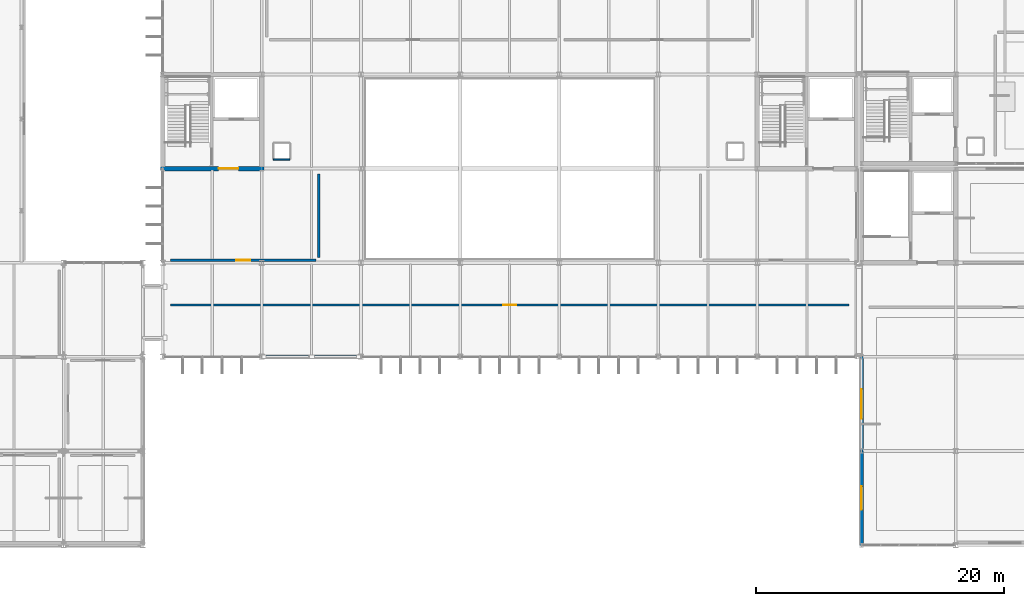
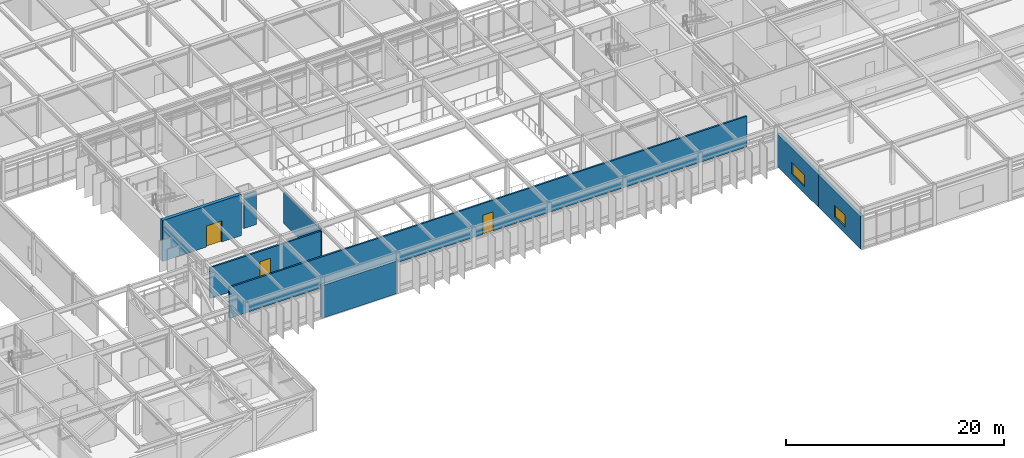
# One storey, part 83 of 104: 8 walls, 3 doors, 2 windows, 5 openings.
"""IFC4 building model written with IfcOpenShell, lengths in metres."""

from ifc_helpers import new_model, si_unit, direction, frame, frame_2d, origin, place, context, subcontext, project, spatial, rectangle, extrude, material, layer, layer_set, type_object, element, fill, save


model = new_model("IFC4")

# Units and contexts
model_context = context("Model", 3, precision=1e-05, world=origin(), true_north=direction((0.0, 1.0)))
body_context = subcontext(model_context, "Body", "Model", "MODEL_VIEW")
ifc_project = project(units=[si_unit("LENGTHUNIT", "METRE"), si_unit("AREAUNIT", "SQUARE_METRE"), si_unit("VOLUMEUNIT", "CUBIC_METRE"), si_unit("PLANEANGLEUNIT", "RADIAN"), si_unit("MASSUNIT", "GRAM", prefix="KILO")], contexts=[model_context])

# Site, building, storey
site_placement = place(None, origin())
site = spatial("IfcSite", under=ifc_project, at=site_placement, CompositionType="ELEMENT")
building_placement = place(site_placement, origin())
building = spatial("IfcBuilding", under=site, at=building_placement, Name="Zulena Civic Courthouse", CompositionType="ELEMENT")
storey_placement = place(building_placement, frame((0.0, 0.0, 15.60009765625)))
storey = spatial("IfcBuildingStorey", under=building, at=storey_placement, Name="L03", CompositionType="ELEMENT", Elevation=15.60009765625)

# Wall, opening, door
ifc_material_1 = material(Name="Concrete C40/50", Category="concrete")
ifc_layer_1 = layer(ifc_material_1, 0.35009765625)
ifc_layer_set_1 = layer_set([ifc_layer_1], Name="Concrete C40/50")
wall_type_1 = type_object("IfcWallType", Name="CoreShearWall_RC350", PredefinedType="SHEAR", material=ifc_layer_set_1)
wall_1_placement = place(storey_placement, frame((67.824951171875, 30.39990234375, 0.0), z_axis=(0.0, 0.0, 1.0), x_axis=(1.0, 0.0, 0.0)))
wall_1 = element("IfcWall", 1, at=wall_1_placement, inside=storey, type_object=wall_type_1, Name="cwall:K4A:L03:S", PredefinedType="SHEAR", context=body_context, shape_type="SweptSolid", body=[
    extrude(rectangle(XDim=8.35009765625, YDim=0.35009765625, at=frame_2d((4.175048828125, 0.0))), origin(), (0.0, 0.0, 1.0), 4.58984375),
])
opening_1_placement = place(wall_1_placement, frame((4.68505859375, 0.0, 0.0)))
opening_1 = element("IfcOpeningElement", 2, at=opening_1_placement, cuts=wall_1, Name="Opening ID04", PredefinedType="OPENING", context=body_context, shape_type="SweptSolid", body=[
    extrude(rectangle(XDim=1.60009765625, YDim=2.35009765625, at=frame_2d((0.800048828125, 1.175048828125))), frame((0.0, 0.18505859375, 0.0), z_axis=(0.0, -1.0, 0.0), x_axis=(1.0, 0.0, 0.0)), (0.0, 0.0, 1.0), 0.3701171875),
])
ifc_material_2 = material(Name="Solid-core acoustic hardwood timber", Category="wood")
door_type_1 = type_object("IfcDoorType", Name="IntDoor_CourtPublic_1600x2350", OperationType="DOUBLE_DOOR_SINGLE_SWING", PredefinedType="DOOR", material=ifc_material_2)
door_1_placement = place(opening_1_placement, origin())
door_1 = element("IfcDoor", 3, at=door_1_placement, inside=storey, type_object=door_type_1, Name="door:corelob:K4A:L03", OperationType="DOUBLE_DOOR_SINGLE_SWING", OverallHeight=2.35009765625, OverallWidth=1.60009765625, PredefinedType="DOOR", context=body_context, shape_type="SweptSolid", body=[
    extrude(rectangle(XDim=1.60009765625, YDim=2.35009765625, at=frame_2d((0.800048828125, 1.175048828125))), frame((0.0, 0.02490234375, 0.0), z_axis=(0.0, -1.0, 0.0), x_axis=(1.0, 0.0, 0.0)), (0.0, 0.0, 1.0), 0.050048828125),
])
fill(opening_1, door_1)

# Wall, opening, window
ifc_material_3 = material(Name="Terracotta-rose architectural precast concrete C40/50", Category="masonry")
ifc_layer_2 = layer(ifc_material_3, 0.320068359375)
ifc_layer_set_2 = layer_set([ifc_layer_2], Name="Terracotta-rose architectural precast concrete C40/50")
wall_type_2 = type_object("IfcWallType", Name="ExtWall_TerraPrecast_320", PredefinedType="STANDARD", material=ifc_layer_set_2)
wall_2_placement = place(storey_placement, frame((124.39990234375, -0.02001953125, 0.0), z_axis=(0.0, 0.0, 1.0), x_axis=(0.0, 1.0, 0.0)))
wall_2 = element("IfcWall", 4, at=wall_2_placement, inside=storey, type_object=wall_type_2, Name="ewall:V1:L03:0:0", PredefinedType="STANDARD", context=body_context, shape_type="SweptSolid", body=[
    extrude(rectangle(XDim=7.64013671875, YDim=0.320068359375, at=frame_2d((3.820068359375, 0.0))), origin(), (0.0, 0.0, 1.0), 3.659912109375),
])
opening_2_placement = place(wall_2_placement, frame((2.8701171875, 0.0, 0.75)))
opening_2 = element("IfcOpeningElement", 5, at=opening_2_placement, cuts=wall_2, Name="Opening WN31", PredefinedType="OPENING", context=body_context, shape_type="SweptSolid", body=[
    extrude(rectangle(XDim=1.89990234375, YDim=1.300048828125, at=frame_2d((0.949951171875, 0.64990234375))), frame((0.0, 0.169921875, 0.0), z_axis=(0.0, -1.0, 0.0), x_axis=(1.0, 0.0, 0.0)), (0.0, 0.0, 1.0), 0.340087890625),
])
ifc_material_4 = material(Name="Double-silver low-E laminated solar-control glass", Category="glass")
window_type_1 = type_object("IfcWindowType", Name="Win_1900x1300", PartitioningType="DOUBLE_PANEL_VERTICAL", PredefinedType="WINDOW", material=ifc_material_4)
window_1_placement = place(opening_2_placement, origin())
window_1 = element("IfcWindow", 6, at=window_1_placement, inside=storey, type_object=window_type_1, Name="win:V1:L03:0:0", OverallHeight=1.300048828125, OverallWidth=1.89990234375, PartitioningType="SINGLE_PANEL", PredefinedType="WINDOW", context=body_context, shape_type="SweptSolid", body=[
    extrude(rectangle(XDim=1.89990234375, YDim=1.300048828125, at=frame_2d((0.949951171875, 0.64990234375))), frame((0.0, 0.030029296875, 0.0), z_axis=(0.0, -1.0, 0.0), x_axis=(1.0, 0.0, 0.0)), (0.0, 0.0, 1.0), 0.06005859375),
])
fill(opening_2, window_1)

wall_3_placement = place(storey_placement, frame((124.39990234375, 7.580078125, 0.0), z_axis=(0.0, 0.0, 1.0), x_axis=(0.0, 1.0, 0.0)))
wall_3 = element("IfcWall", 7, at=wall_3_placement, inside=storey, type_object=wall_type_2, Name="ewall:V1:L03:0:1", PredefinedType="STANDARD", context=body_context, shape_type="SweptSolid", body=[
    extrude(rectangle(XDim=7.639892578125, YDim=0.320068359375, at=frame_2d((3.81982421875, 0.0))), origin(), (0.0, 0.0, 1.0), 3.659912109375),
])
opening_3_placement = place(wall_3_placement, frame((2.6201171875, 0.0, 0.75)))
opening_3 = element("IfcOpeningElement", 8, at=opening_3_placement, cuts=wall_3, Name="Opening WN32", PredefinedType="OPENING", context=body_context, shape_type="SweptSolid", body=[
    extrude(rectangle(XDim=2.39990234375, YDim=1.300048828125, at=frame_2d((1.199951171875, 0.64990234375))), frame((0.0, 0.169921875, 0.0), z_axis=(0.0, -1.0, 0.0), x_axis=(1.0, 0.0, 0.0)), (0.0, 0.0, 1.0), 0.340087890625),
])
window_type_2 = type_object("IfcWindowType", Name="Win_2400x1300", PartitioningType="DOUBLE_PANEL_VERTICAL", PredefinedType="WINDOW", material=ifc_material_4)
window_2_placement = place(opening_3_placement, origin())
window_2 = element("IfcWindow", 9, at=window_2_placement, inside=storey, type_object=window_type_2, Name="win:V1:L03:0:1", OverallHeight=1.300048828125, OverallWidth=2.39990234375, PartitioningType="SINGLE_PANEL", PredefinedType="WINDOW", context=body_context, shape_type="SweptSolid", body=[
    extrude(rectangle(XDim=2.39990234375, YDim=1.300048828125, at=frame_2d((1.199951171875, 0.64990234375))), frame((0.0, 0.030029296875, 0.0), z_axis=(0.0, -1.0, 0.0), x_axis=(1.0, 0.0, 0.0)), (0.0, 0.0, 1.0), 0.06005859375),
])
fill(opening_3, window_2)

# Wall
ifc_material_5 = material(Name="Travertine-cream architectural precast concrete C40/50", Category="masonry")
ifc_layer_3 = layer(ifc_material_5, 0.280029296875)
ifc_layer_set_3 = layer_set([ifc_layer_3], Name="Travertine-cream architectural precast concrete C40/50")
wall_type_3 = type_object("IfcWallType", Name="ExtWall_TravPrecast_280", PredefinedType="STANDARD", material=ifc_layer_set_3)
wall_4_placement = place(storey_placement, frame((84.02001953125, 15.199951171875, 0.0), z_axis=(0.0, 0.0, 1.0), x_axis=(-1.0, 0.0, 0.0)))
element("IfcWall", 10, at=wall_4_placement, inside=storey, type_object=wall_type_3, Name="ewall:V4:L03:3:5", PredefinedType="STANDARD", context=body_context, shape_type="SweptSolid", body=[
    extrude(rectangle(XDim=8.0400390625, YDim=0.280029296875, at=frame_2d((4.02001953125, 0.0))), origin(), (0.0, 0.0, 1.0), 3.659912109375),
])

# Wall, opening, door
ifc_material_6 = material(Name="Acoustic fire-rated gypsum board assembly", Category="masonry")
ifc_layer_4 = layer(ifc_material_6, 0.177978515625)
ifc_layer_set_4 = layer_set([ifc_layer_4], Name="Acoustic fire-rated gypsum board assembly")
wall_type_4 = type_object("IfcWallType", Name="PartWall_Corridor_178", PredefinedType="PARTITIONING", material=ifc_layer_set_4)
wall_5_placement = place(storey_placement, frame((68.6201171875, 19.39990234375, 0.0), z_axis=(0.0, 0.0, 1.0), x_axis=(1.0, 0.0, 0.0)))
wall_5 = element("IfcWall", 11, at=wall_5_placement, inside=storey, type_object=wall_type_4, Name="pwall:L03:249:0", PredefinedType="PARTITIONING", context=body_context, shape_type="SweptSolid", body=[
    extrude(rectangle(XDim=54.759765625, YDim=0.177978515625, at=frame_2d((27.3798828125, 0.0))), origin(), (0.0, 0.0, 1.0), 3.449951171875),
])
opening_4_placement = place(wall_5_placement, frame((26.85498046875, 0.0, 0.0)))
opening_4 = element("IfcOpeningElement", 12, at=opening_4_placement, cuts=wall_5, Name="Opening ID10", PredefinedType="OPENING", context=body_context, shape_type="SweptSolid", body=[
    extrude(rectangle(XDim=1.050048828125, YDim=2.14990234375, at=frame_2d((0.52490234375, 1.074951171875))), frame((0.0, 0.098876953125, 0.0), z_axis=(0.0, -1.0, 0.0), x_axis=(1.0, 0.0, 0.0)), (0.0, 0.0, 1.0), 0.197998046875),
])
ifc_material_7 = material(Name="Fire-rated galvanised steel ASTM A653 Grade 50", Category="steel")
door_type_2 = type_object("IfcDoorType", Name="IntDoor_Holding_1050x2150", OperationType="NOTDEFINED", PredefinedType="DOOR", material=ifc_material_7)
door_2_placement = place(opening_4_placement, origin())
door_2 = element("IfcDoor", 13, at=door_2_placement, inside=storey, type_object=door_type_2, Name="door:rm:L03:249", OperationType="SINGLE_SWING_RIGHT", OverallHeight=2.14990234375, OverallWidth=1.050048828125, PredefinedType="DOOR", context=body_context, shape_type="SweptSolid", body=[
    extrude(rectangle(XDim=1.050048828125, YDim=2.14990234375, at=frame_2d((0.52490234375, 1.074951171875))), frame((0.0, 0.02490234375, 0.0), z_axis=(0.0, -1.0, 0.0), x_axis=(1.0, 0.0, 0.0)), (0.0, 0.0, 1.0), 0.050048828125),
])
fill(opening_4, door_2)

wall_6_placement = place(storey_placement, frame((68.6201171875, 23.0, 0.0), z_axis=(0.0, 0.0, 1.0), x_axis=(1.0, 0.0, 0.0)))
wall_6 = element("IfcWall", 14, at=wall_6_placement, inside=storey, type_object=wall_type_4, Name="pwall:L03:250:0", PredefinedType="PARTITIONING", context=body_context, shape_type="SweptSolid", body=[
    extrude(rectangle(XDim=11.759765625, YDim=0.177978515625, at=frame_2d((5.8798828125, 0.0))), origin(), (0.0, 0.0, 1.0), 3.449951171875),
])
opening_5_placement = place(wall_6_placement, frame((5.330078125, 0.0, 0.0)))
opening_5 = element("IfcOpeningElement", 15, at=opening_5_placement, cuts=wall_6, Name="Opening ID11", PredefinedType="OPENING", context=body_context, shape_type="SweptSolid", body=[
    extrude(rectangle(XDim=1.10009765625, YDim=2.300048828125, at=frame_2d((0.550048828125, 1.14990234375))), frame((0.0, 0.098876953125, 0.0), z_axis=(0.0, -1.0, 0.0), x_axis=(1.0, 0.0, 0.0)), (0.0, 0.0, 1.0), 0.197998046875),
])
door_type_3 = type_object("IfcDoorType", Name="IntDoor_Jury_1100x2300", OperationType="NOTDEFINED", PredefinedType="DOOR", material=ifc_material_2)
door_3_placement = place(opening_5_placement, origin())
door_3 = element("IfcDoor", 16, at=door_3_placement, inside=storey, type_object=door_type_3, Name="door:rm:L03:250", OperationType="SINGLE_SWING_LEFT", OverallHeight=2.300048828125, OverallWidth=1.10009765625, PredefinedType="DOOR", context=body_context, shape_type="SweptSolid", body=[
    extrude(rectangle(XDim=1.10009765625, YDim=2.300048828125, at=frame_2d((0.550048828125, 1.14990234375))), frame((0.0, 0.02490234375, 0.0), z_axis=(0.0, -1.0, 0.0), x_axis=(1.0, 0.0, 0.0)), (0.0, 0.0, 1.0), 0.050048828125),
])
fill(opening_5, door_3)

# Walls
wall_7_placement = place(storey_placement, frame((80.60009765625, 23.219970703125, 0.0), z_axis=(0.0, 0.0, 1.0), x_axis=(0.0, 1.0, 0.0)))
element("IfcWall", 17, at=wall_7_placement, inside=storey, type_object=wall_type_4, Name="pwall:L03:250:1", PredefinedType="PARTITIONING", context=body_context, shape_type="SweptSolid", body=[
    extrude(rectangle(XDim=6.760009765625, YDim=0.177978515625, at=frame_2d((3.3798828125, 0.0))), origin(), (0.0, 0.0, 1.0), 3.449951171875),
])
ifc_material_8 = material(Name="Insulated blockwork masonry ASTM C90", Category="masonry")
ifc_layer_5 = layer(ifc_material_8, 0.114990234375)
ifc_layer_set_5 = layer_set([ifc_layer_5], Name="Insulated blockwork masonry ASTM C90")
wall_type_5 = type_object("IfcWallType", Name="PartWall_Riser_115", PredefinedType="PARTITIONING", material=ifc_layer_set_5)
wall_8_placement = place(storey_placement, frame((76.93994140625, 31.139892578125, 0.0), z_axis=(0.0, 0.0, 1.0), x_axis=(1.0, 0.0, 0.0)))
element("IfcWall", 18, at=wall_8_placement, inside=storey, type_object=wall_type_5, Name="riser:RS-V4W:L03:0", PredefinedType="PARTITIONING", context=body_context, shape_type="SweptSolid", body=[
    extrude(rectangle(XDim=1.320068359375, YDim=0.114990234375, at=frame_2d((0.66015625, 0.0))), origin(), (0.0, 0.0, 1.0), 3.75),
])

save(model, "model.ifc")
